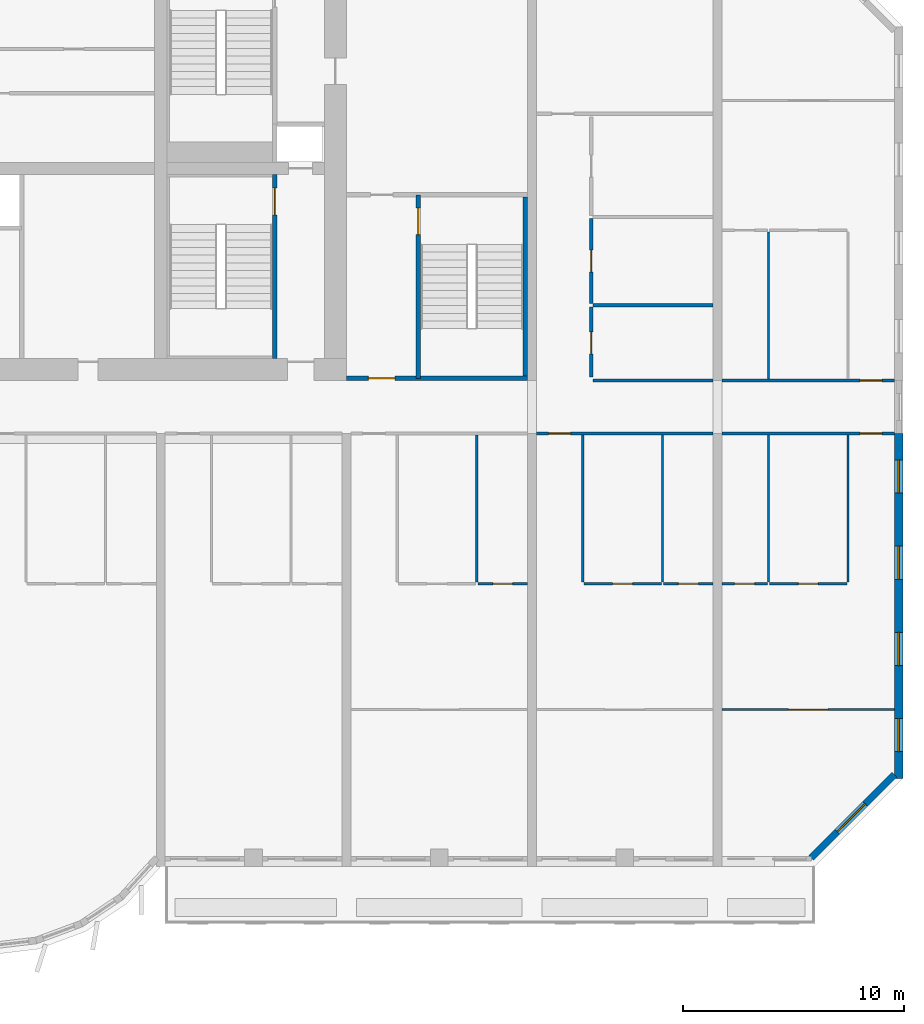
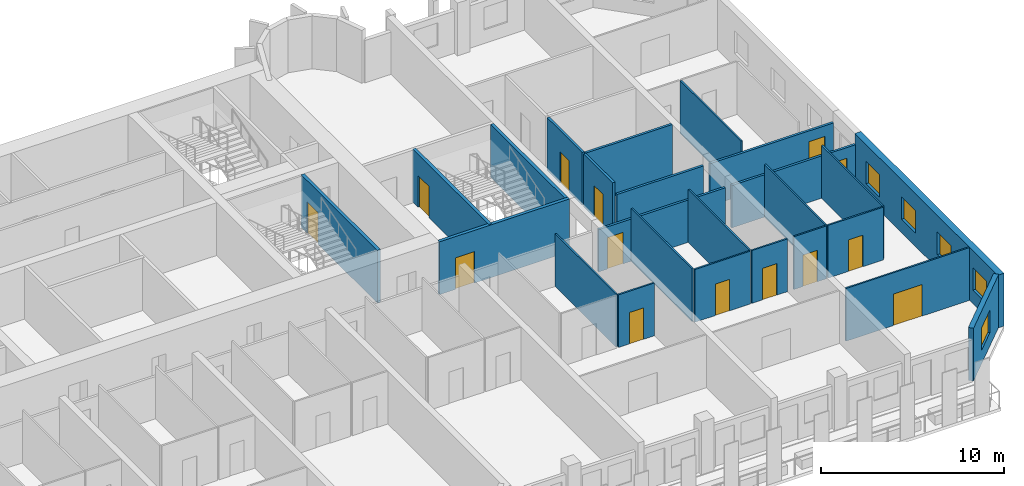
# One storey, part 9 of 15: 25 walls, 14 doors, 5 windows, 19 openings.
"""IFC4 building model written with IfcOpenShell, lengths in metres."""

from ifc_helpers import new_model, si_unit, direction, frame, frame_2d, origin, place, context, subcontext, project, spatial, rectangle, extrude, source, transform, mapped, material, layer, layer_set, type_object, element, fill, save


model = new_model("IFC4")

# Units and contexts
model_context = context("Model", 3, precision=1e-05, world=origin(), true_north=direction((0.0, 1.0)))
body_context = subcontext(model_context, "Body", "Model", "MODEL_VIEW")
ifc_project = project(units=[si_unit("LENGTHUNIT", "METRE"), si_unit("AREAUNIT", "SQUARE_METRE"), si_unit("VOLUMEUNIT", "CUBIC_METRE"), si_unit("PLANEANGLEUNIT", "RADIAN"), si_unit("MASSUNIT", "GRAM", prefix="KILO")], contexts=[model_context])

# Site, building, storey
site_placement = place(None, origin())
site = spatial("IfcSite", under=ifc_project, at=site_placement, CompositionType="ELEMENT")
building_placement = place(site_placement, origin())
building = spatial("IfcBuilding", under=site, at=building_placement, Name="Vanashikhar Sky Hotel", CompositionType="ELEMENT")
storey_placement = place(building_placement, frame((0.0, 0.0, 69.60009765625)))
storey = spatial("IfcBuildingStorey", under=building, at=storey_placement, Name="L16", CompositionType="ELEMENT", Elevation=69.60009765625)

# Wall, openings, windows
ifc_material_1 = material(Name="Concrete M80", Category="concrete")
ifc_layer_1 = layer(ifc_material_1, 0.39990234375)
ifc_layer_set_1 = layer_set([ifc_layer_1], Name="RC shear wall 400 Concrete M80")
wall_type_1 = type_object("IfcWallType", Name="RC shear wall 400 Concrete M80", PredefinedType="SHEAR", material=ifc_layer_set_1)
shared_shape_1 = source(origin(), body_context, "Body", "SweptSolid", [
    extrude(rectangle(XDim=15.60009765625, YDim=0.39990234375, at=frame_2d((7.800048828125, 0.0))), origin(), (0.0, 0.0, 1.0), 3.52001953125),
])
wall_1_placement = place(storey_placement, frame((100.60009765625, 4.0, 0.0), z_axis=(0.0, 0.0, 1.0), x_axis=(0.0, 1.0, 0.0)))
wall_1 = element("IfcWall", 1, at=wall_1_placement, inside=storey, type_object=wall_type_1, Name="CW-L16-XW13-1", PredefinedType="SHEAR", context=body_context, shape_type="MappedRepresentation", body=[
    mapped(shared_shape_1, transform((0.0, 0.0, 0.0), scale=1.0)),
])
shared_shape_2 = source(origin(), body_context, "Body", "SweptSolid", [
    extrude(rectangle(XDim=1.5, YDim=1.5, at=frame_2d((0.75, 0.75))), frame((0.0, 0.2099609375, 0.0), z_axis=(0.0, -1.0, 0.0), x_axis=(1.0, 0.0, 0.0)), (0.0, 0.0, 1.0), 0.419921875),
])
opening_1_placement = place(wall_1_placement, frame((1.199951171875, 0.0, 0.89990234375)))
opening_1 = element("IfcOpeningElement", 2, at=opening_1_placement, cuts=wall_1, Name="Opening WN-1", PredefinedType="OPENING", context=body_context, shape_type="MappedRepresentation", body=[
    mapped(shared_shape_2, transform((0.0, 0.0, 0.0), scale=1.0)),
])
opening_2_placement = place(wall_1_placement, frame((5.10009765625, 0.0, 0.89990234375)))
opening_2 = element("IfcOpeningElement", 3, at=opening_2_placement, cuts=wall_1, Name="Opening WN-1", PredefinedType="OPENING", context=body_context, shape_type="MappedRepresentation", body=[
    mapped(shared_shape_2, transform((0.0, 0.0, 0.0), scale=1.0)),
])
opening_3_placement = place(wall_1_placement, frame((9.0, 0.0, 0.89990234375)))
opening_3 = element("IfcOpeningElement", 4, at=opening_3_placement, cuts=wall_1, Name="Opening WN-1", PredefinedType="OPENING", context=body_context, shape_type="MappedRepresentation", body=[
    mapped(shared_shape_2, transform((0.0, 0.0, 0.0), scale=1.0)),
])
opening_4_placement = place(wall_1_placement, frame((12.89990234375, 0.0, 0.89990234375)))
opening_4 = element("IfcOpeningElement", 5, at=opening_4_placement, cuts=wall_1, Name="Opening WN-1", PredefinedType="OPENING", context=body_context, shape_type="MappedRepresentation", body=[
    mapped(shared_shape_2, transform((0.0, 0.0, 0.0), scale=1.0)),
])
ifc_material_2 = material(Name="Glass", Category="glass")
window_type_1 = type_object("IfcWindowType", Name="Window 1500 x 1500", PartitioningType="SINGLE_PANEL", PredefinedType="WINDOW", material=ifc_material_2)
shared_shape_3 = source(origin(), body_context, "Body", "SweptSolid", [
    extrude(rectangle(XDim=1.5, YDim=1.5, at=frame_2d((0.75, 0.75))), frame((0.0, 0.030029296875, 0.0), z_axis=(0.0, -1.0, 0.0), x_axis=(1.0, 0.0, 0.0)), (0.0, 0.0, 1.0), 0.06005859375),
])
window_1_placement = place(opening_1_placement, origin())
window_1 = element("IfcWindow", 6, at=window_1_placement, inside=storey, type_object=window_type_1, Name="Window WN-1", OverallHeight=1.5, OverallWidth=1.5, PartitioningType="SINGLE_PANEL", PredefinedType="WINDOW", context=body_context, shape_type="MappedRepresentation", body=[
    mapped(shared_shape_3, transform((0.0, 0.0, 0.0), scale=1.0)),
])
fill(opening_1, window_1)
window_2_placement = place(opening_2_placement, origin())
window_2 = element("IfcWindow", 7, at=window_2_placement, inside=storey, type_object=window_type_1, Name="Window WN-1", OverallHeight=1.5, OverallWidth=1.5, PartitioningType="SINGLE_PANEL", PredefinedType="WINDOW", context=body_context, shape_type="MappedRepresentation", body=[
    mapped(shared_shape_3, transform((0.0, 0.0, 0.0), scale=1.0)),
])
fill(opening_2, window_2)
window_3_placement = place(opening_3_placement, origin())
window_3 = element("IfcWindow", 8, at=window_3_placement, inside=storey, type_object=window_type_1, Name="Window WN-1", OverallHeight=1.5, OverallWidth=1.5, PartitioningType="SINGLE_PANEL", PredefinedType="WINDOW", context=body_context, shape_type="MappedRepresentation", body=[
    mapped(shared_shape_3, transform((0.0, 0.0, 0.0), scale=1.0)),
])
fill(opening_3, window_3)
window_4_placement = place(opening_4_placement, origin())
window_4 = element("IfcWindow", 9, at=window_4_placement, inside=storey, type_object=window_type_1, Name="Window WN-1", OverallHeight=1.5, OverallWidth=1.5, PartitioningType="SINGLE_PANEL", PredefinedType="WINDOW", context=body_context, shape_type="MappedRepresentation", body=[
    mapped(shared_shape_3, transform((0.0, 0.0, 0.0), scale=1.0)),
])
fill(opening_4, window_4)

# Wall, opening, window
ifc_material_3 = material(Name="Concrete M50", Category="concrete")
ifc_layer_2 = layer(ifc_material_3, 0.300048828125)
ifc_layer_set_2 = layer_set([ifc_layer_2], Name="Lobe wall 300")
wall_type_2 = type_object("IfcWallType", Name="Lobe wall 300", PredefinedType="SOLIDWALL", material=ifc_layer_set_2)
shared_shape_4 = source(origin(), body_context, "Body", "SweptSolid", [
    extrude(rectangle(XDim=5.32568359375, YDim=0.300048828125, at=frame_2d((2.662841796875, 0.0))), origin(), (0.0, 0.0, 1.0), 3.52001953125),
])
wall_2_placement = place(storey_placement, frame((96.63427734375, 0.39990234375, 0.0), z_axis=(0.0, 0.0, 1.0), x_axis=(0.707083859269, 0.707129702361, 0.0)))
wall_2 = element("IfcWall", 10, at=wall_2_placement, inside=storey, type_object=wall_type_2, Name="Corner wall", PredefinedType="SOLIDWALL", context=body_context, shape_type="MappedRepresentation", body=[
    mapped(shared_shape_4, transform((0.0, 0.0, 0.0), scale=1.0)),
])
shared_shape_5 = source(origin(), body_context, "Body", "SweptSolid", [
    extrude(rectangle(XDim=1.800048828125, YDim=1.5, at=frame_2d((0.89990234375, 0.75))), frame((0.0, 0.16015625, 0.0), z_axis=(0.0, -1.0, 0.0), x_axis=(1.0, 0.0, 0.0)), (0.0, 0.0, 1.0), 0.320068359375),
])
opening_5_placement = place(wall_2_placement, frame((1.654296875, 0.0, 0.89990234375)))
opening_5 = element("IfcOpeningElement", 11, at=opening_5_placement, cuts=wall_2, Name="Opening WN-4", PredefinedType="OPENING", context=body_context, shape_type="MappedRepresentation", body=[
    mapped(shared_shape_5, transform((0.0, 0.0, 0.0), scale=1.0)),
])
window_type_2 = type_object("IfcWindowType", Name="Corner window 1800 x 1500", PartitioningType="SINGLE_PANEL", PredefinedType="WINDOW", material=ifc_material_2)
shared_shape_6 = source(origin(), body_context, "Body", "SweptSolid", [
    extrude(rectangle(XDim=1.800048828125, YDim=1.5, at=frame_2d((0.89990234375, 0.75))), frame((0.0, 0.030029296875, 0.0), z_axis=(0.0, -1.0, 0.0), x_axis=(1.0, 0.0, 0.0)), (0.0, 0.0, 1.0), 0.06005859375),
])
window_5_placement = place(opening_5_placement, origin())
window_5 = element("IfcWindow", 12, at=window_5_placement, inside=storey, type_object=window_type_2, Name="Window WN-4", OverallHeight=1.5, OverallWidth=1.800048828125, PartitioningType="SINGLE_PANEL", PredefinedType="WINDOW", context=body_context, shape_type="MappedRepresentation", body=[
    mapped(shared_shape_6, transform((0.0, 0.0, 0.0), scale=1.0)),
])
fill(opening_5, window_5)

# Wall, opening, door
ifc_layer_3 = layer(ifc_material_3, 0.199951171875)
ifc_layer_set_3 = layer_set([ifc_layer_3], Name="Stair wall 200")
wall_type_3 = type_object("IfcWallType", Name="Stair wall 200", PredefinedType="SOLIDWALL", material=ifc_layer_set_3)
shared_shape_7 = source(origin(), body_context, "Body", "SweptSolid", [
    extrude(rectangle(XDim=8.199951171875, YDim=0.199951171875, at=frame_2d((4.10009765625, 0.0))), origin(), (0.0, 0.0, 1.0), 3.52001953125),
])
wall_3_placement = place(storey_placement, frame((83.800048828125, 22.10009765625, 0.0), z_axis=(0.0, 0.0, 1.0), x_axis=(-1.0, 0.0, 0.0)))
wall_3 = element("IfcWall", 13, at=wall_3_placement, inside=storey, type_object=wall_type_3, Name="Stair wall 200", PredefinedType="SOLIDWALL", context=body_context, shape_type="MappedRepresentation", body=[
    mapped(shared_shape_7, transform((0.0, 0.0, 0.0), scale=1.0)),
])
shared_shape_8 = source(origin(), body_context, "Body", "SweptSolid", [
    extrude(rectangle(XDim=1.199951171875, YDim=2.10009765625, at=frame_2d((0.60009765625, 1.050048828125))), frame((0.0, 0.10986328125, 0.0), z_axis=(0.0, -1.0, 0.0), x_axis=(1.0, 0.0, 0.0)), (0.0, 0.0, 1.0), 0.219970703125),
])
opening_6_placement = place(wall_3_placement, frame((6.0, 0.0, 0.0)))
opening_6 = element("IfcOpeningElement", 14, at=opening_6_placement, cuts=wall_3, Name="Opening DC-2", PredefinedType="OPENING", context=body_context, shape_type="MappedRepresentation", body=[
    mapped(shared_shape_8, transform((0.0, 0.0, 0.0), scale=1.0)),
])
ifc_material_4 = material(Name="Steel", Category="steel")
door_type_1 = type_object("IfcDoorType", Name="Firefighting lobby door 1200 FD120", OperationType="NOTDEFINED", PredefinedType="DOOR", material=ifc_material_4)
shared_shape_9 = source(origin(), body_context, "Body", "SweptSolid", [
    extrude(rectangle(XDim=1.199951171875, YDim=2.10009765625, at=frame_2d((0.60009765625, 1.050048828125))), frame((0.0, 0.02490234375, 0.0), z_axis=(0.0, -1.0, 0.0), x_axis=(1.0, 0.0, 0.0)), (0.0, 0.0, 1.0), 0.050048828125),
])
door_1_placement = place(opening_6_placement, origin())
door_1 = element("IfcDoor", 15, at=door_1_placement, inside=storey, type_object=door_type_1, Name="Firefighting lobby door 1200 FD120", OperationType="SINGLE_SWING_RIGHT", OverallHeight=2.10009765625, OverallWidth=1.199951171875, PredefinedType="DOOR", context=body_context, shape_type="MappedRepresentation", body=[
    mapped(shared_shape_9, transform((0.0, 0.0, 0.0), scale=1.0)),
])
fill(opening_6, door_1)

shared_shape_10 = source(origin(), body_context, "Body", "SweptSolid", [
    extrude(rectangle(XDim=8.2998046875, YDim=0.199951171875, at=frame_2d((4.14990234375, 0.0))), origin(), (0.0, 0.0, 1.0), 3.52001953125),
])
wall_4_placement = place(storey_placement, frame((78.85009765625, 22.10009765625, 0.0), z_axis=(0.0, 0.0, 1.0), x_axis=(0.0, 1.0, 0.0)))
wall_4 = element("IfcWall", 16, at=wall_4_placement, inside=storey, type_object=wall_type_3, Name="Stair wall 200", PredefinedType="SOLIDWALL", context=body_context, shape_type="MappedRepresentation", body=[
    mapped(shared_shape_10, transform((0.0, 0.0, 0.0), scale=1.0)),
])
opening_7_placement = place(wall_4_placement, frame((6.5, 0.0, 0.0)))
opening_7 = element("IfcOpeningElement", 17, at=opening_7_placement, cuts=wall_4, Name="Opening DC-1", PredefinedType="OPENING", context=body_context, shape_type="MappedRepresentation", body=[
    mapped(shared_shape_8, transform((0.0, 0.0, 0.0), scale=1.0)),
])
door_type_2 = type_object("IfcDoorType", Name="Stair door 1200 FD120", OperationType="NOTDEFINED", PredefinedType="DOOR", material=ifc_material_4)
door_2_placement = place(opening_7_placement, origin())
door_2 = element("IfcDoor", 18, at=door_2_placement, inside=storey, type_object=door_type_2, Name="Stair door 1200 FD120", OperationType="SINGLE_SWING_RIGHT", OverallHeight=2.10009765625, OverallWidth=1.199951171875, PredefinedType="DOOR", context=body_context, shape_type="MappedRepresentation", body=[
    mapped(shared_shape_9, transform((0.0, 0.0, 0.0), scale=1.0)),
])
fill(opening_7, door_2)

shared_shape_11 = source(origin(), body_context, "Body", "SweptSolid", [
    extrude(rectangle(XDim=8.324951171875, YDim=0.199951171875, at=frame_2d((4.16259765625, 0.0))), origin(), (0.0, 0.0, 1.0), 3.52001953125),
])
wall_5_placement = place(storey_placement, frame((72.35009765625, 23.0, 0.0), z_axis=(0.0, 0.0, 1.0), x_axis=(0.0, 1.0, 0.0)))
wall_5 = element("IfcWall", 19, at=wall_5_placement, inside=storey, type_object=wall_type_3, Name="Stair wall 200", PredefinedType="SOLIDWALL", context=body_context, shape_type="MappedRepresentation", body=[
    mapped(shared_shape_11, transform((0.0, 0.0, 0.0), scale=1.0)),
])
opening_8_placement = place(wall_5_placement, frame((6.5, 0.0, 0.0)))
opening_8 = element("IfcOpeningElement", 20, at=opening_8_placement, cuts=wall_5, Name="Opening DC-1", PredefinedType="OPENING", context=body_context, shape_type="MappedRepresentation", body=[
    mapped(shared_shape_8, transform((0.0, 0.0, 0.0), scale=1.0)),
])
door_3_placement = place(opening_8_placement, origin())
door_3 = element("IfcDoor", 21, at=door_3_placement, inside=storey, type_object=door_type_2, Name="Stair door 1200 FD120", OperationType="SINGLE_SWING_LEFT", OverallHeight=2.10009765625, OverallWidth=1.199951171875, PredefinedType="DOOR", context=body_context, shape_type="MappedRepresentation", body=[
    mapped(shared_shape_9, transform((0.0, 0.0, 0.0), scale=1.0)),
])
fill(opening_8, door_3)

# Wall
ifc_layer_4 = layer(ifc_material_3, 0.199951171875)
ifc_layer_set_4 = layer_set([ifc_layer_4], Name="Stair infill wall 200")
wall_type_4 = type_object("IfcWallType", Name="Stair infill wall 200", PredefinedType="SOLIDWALL", material=ifc_layer_set_4)
shared_shape_12 = source(origin(), body_context, "Body", "SweptSolid", [
    extrude(rectangle(XDim=8.10009765625, YDim=0.199951171875, at=frame_2d((4.050048828125, 0.0))), origin(), (0.0, 0.0, 1.0), 3.52001953125),
])
wall_6_placement = place(storey_placement, frame((83.699951171875, 22.199951171875, 0.0), z_axis=(0.0, 0.0, 1.0), x_axis=(0.0, 1.0, 0.0)))
element("IfcWall", 22, at=wall_6_placement, inside=storey, type_object=wall_type_4, Name="Stair infill wall 200", PredefinedType="SOLIDWALL", context=body_context, shape_type="MappedRepresentation", body=[
    mapped(shared_shape_12, transform((0.0, 0.0, 0.0), scale=1.0)),
])

# Wall, opening, door
ifc_material_5 = material(Name="Gypsum plasterboard partition")
ifc_layer_5 = layer(ifc_material_5, 0.10009765625)
ifc_layer_set_5 = layer_set([ifc_layer_5], Name="Wet room partition 100")
wall_type_5 = type_object("IfcWallType", Name="Wet room partition 100", PredefinedType="PARTITIONING", material=ifc_layer_set_5)
shared_shape_13 = source(origin(), body_context, "Body", "SweptSolid", [
    extrude(rectangle(XDim=2.0498046875, YDim=0.10009765625, at=frame_2d((1.02490234375, 0.0))), origin(), (0.0, 0.0, 1.0), 3.52001953125),
])
wall_7_placement = place(storey_placement, frame((92.60009765625, 12.800048828125, 0.0), z_axis=(0.0, 0.0, 1.0), x_axis=(1.0, 0.0, 0.0)))
wall_7 = element("IfcWall", 23, at=wall_7_placement, inside=storey, type_object=wall_type_5, Name="W-L16-PW065", PredefinedType="PARTITIONING", context=body_context, shape_type="MappedRepresentation", body=[
    mapped(shared_shape_13, transform((0.0, 0.0, 0.0), scale=1.0)),
])
shared_shape_14 = source(origin(), body_context, "Body", "SweptSolid", [
    extrude(rectangle(XDim=0.89990234375, YDim=2.10009765625, at=frame_2d((0.449951171875, 1.050048828125))), frame((0.0, 0.06005859375, 0.0), z_axis=(0.0, -1.0, 0.0), x_axis=(1.0, 0.0, 0.0)), (0.0, 0.0, 1.0), 0.1201171875),
])
opening_9_placement = place(wall_7_placement, frame((0.574951171875, 0.0, 0.0)))
opening_9 = element("IfcOpeningElement", 24, at=opening_9_placement, cuts=wall_7, Name="Opening D-02", PredefinedType="OPENING", context=body_context, shape_type="MappedRepresentation", body=[
    mapped(shared_shape_14, transform((0.0, 0.0, 0.0), scale=1.0)),
])
ifc_material_6 = material(Name="Timber door", Category="wood")
door_type_3 = type_object("IfcDoorType", Name="Internal door 900", OperationType="NOTDEFINED", PredefinedType="DOOR", material=ifc_material_6)
shared_shape_15 = source(origin(), body_context, "Body", "SweptSolid", [
    extrude(rectangle(XDim=0.89990234375, YDim=2.10009765625, at=frame_2d((0.449951171875, 1.050048828125))), frame((0.0, 0.02490234375, 0.0), z_axis=(0.0, -1.0, 0.0), x_axis=(1.0, 0.0, 0.0)), (0.0, 0.0, 1.0), 0.050048828125),
])
door_4_placement = place(opening_9_placement, origin())
door_4 = element("IfcDoor", 25, at=door_4_placement, inside=storey, type_object=door_type_3, Name="D-L16-040", OperationType="SINGLE_SWING_RIGHT", OverallHeight=2.10009765625, OverallWidth=0.89990234375, PredefinedType="DOOR", context=body_context, shape_type="MappedRepresentation", body=[
    mapped(shared_shape_15, transform((0.0, 0.0, 0.0), scale=1.0)),
])
fill(opening_9, door_4)

shared_shape_16 = source(origin(), body_context, "Body", "SweptSolid", [
    extrude(rectangle(XDim=3.5, YDim=0.10009765625, at=frame_2d((1.75, 0.0))), origin(), (0.0, 0.0, 1.0), 3.52001953125),
])
wall_8_placement = place(storey_placement, frame((86.35009765625, 12.800048828125, 0.0), z_axis=(0.0, 0.0, 1.0), x_axis=(1.0, 0.0, 0.0)))
wall_8 = element("IfcWall", 26, at=wall_8_placement, inside=storey, type_object=wall_type_5, Name="W-L16-PW058", PredefinedType="PARTITIONING", context=body_context, shape_type="MappedRepresentation", body=[
    mapped(shared_shape_16, transform((0.0, 0.0, 0.0), scale=1.0)),
])
opening_10_placement = place(wall_8_placement, frame((1.300048828125, 0.0, 0.0)))
opening_10 = element("IfcOpeningElement", 27, at=opening_10_placement, cuts=wall_8, Name="Opening D-02", PredefinedType="OPENING", context=body_context, shape_type="MappedRepresentation", body=[
    mapped(shared_shape_14, transform((0.0, 0.0, 0.0), scale=1.0)),
])
door_5_placement = place(opening_10_placement, origin())
door_5 = element("IfcDoor", 28, at=door_5_placement, inside=storey, type_object=door_type_3, Name="D-L16-035", OperationType="SINGLE_SWING_LEFT", OverallHeight=2.10009765625, OverallWidth=0.89990234375, PredefinedType="DOOR", context=body_context, shape_type="MappedRepresentation", body=[
    mapped(shared_shape_15, transform((0.0, 0.0, 0.0), scale=1.0)),
])
fill(opening_10, door_5)

wall_9_placement = place(storey_placement, frame((94.75, 12.800048828125, 0.0), z_axis=(0.0, 0.0, 1.0), x_axis=(1.0, 0.0, 0.0)))
wall_9 = element("IfcWall", 29, at=wall_9_placement, inside=storey, type_object=wall_type_5, Name="W-L16-PW064", PredefinedType="PARTITIONING", context=body_context, shape_type="MappedRepresentation", body=[
    mapped(shared_shape_16, transform((0.0, 0.0, 0.0), scale=1.0)),
])
opening_11_placement = place(wall_9_placement, frame((1.300048828125, 0.0, 0.0)))
opening_11 = element("IfcOpeningElement", 30, at=opening_11_placement, cuts=wall_9, Name="Opening D-02", PredefinedType="OPENING", context=body_context, shape_type="MappedRepresentation", body=[
    mapped(shared_shape_14, transform((0.0, 0.0, 0.0), scale=1.0)),
])
door_6_placement = place(opening_11_placement, origin())
door_6 = element("IfcDoor", 31, at=door_6_placement, inside=storey, type_object=door_type_3, Name="D-L16-039", OperationType="SINGLE_SWING_RIGHT", OverallHeight=2.10009765625, OverallWidth=0.89990234375, PredefinedType="DOOR", context=body_context, shape_type="MappedRepresentation", body=[
    mapped(shared_shape_15, transform((0.0, 0.0, 0.0), scale=1.0)),
])
fill(opening_11, door_6)

ifc_layer_6 = layer(ifc_material_5, 0.14990234375)
ifc_layer_set_6 = layer_set([ifc_layer_6], Name="Corridor and demising partition 150")
wall_type_6 = type_object("IfcWallType", Name="Corridor and demising partition 150", PredefinedType="PARTITIONING", material=ifc_layer_set_6)
shared_shape_17 = source(origin(), body_context, "Body", "SweptSolid", [
    extrude(rectangle(XDim=3.175048828125, YDim=0.14990234375, at=frame_2d((1.58740234375, 0.0))), origin(), (0.0, 0.0, 1.0), 3.52001953125),
])
wall_10_placement = place(storey_placement, frame((86.675048828125, 22.14990234375, 0.0), z_axis=(0.0, 0.0, 1.0), x_axis=(0.0, 1.0, 0.0)))
wall_10 = element("IfcWall", 32, at=wall_10_placement, inside=storey, type_object=wall_type_6, Name="W-L16-PW084", PredefinedType="PARTITIONING", context=body_context, shape_type="MappedRepresentation", body=[
    mapped(shared_shape_17, transform((0.0, 0.0, 0.0), scale=1.0)),
])
shared_shape_18 = source(origin(), body_context, "Body", "SweptSolid", [
    extrude(rectangle(XDim=1.0, YDim=2.10009765625, at=frame_2d((0.5, 1.050048828125))), frame((0.0, 0.0849609375, 0.0), z_axis=(0.0, -1.0, 0.0), x_axis=(1.0, 0.0, 0.0)), (0.0, 0.0, 1.0), 0.169921875),
])
opening_12_placement = place(wall_10_placement, frame((1.050048828125, 0.0, 0.0)))
opening_12 = element("IfcOpeningElement", 33, at=opening_12_placement, cuts=wall_10, Name="Opening D-01", PredefinedType="OPENING", context=body_context, shape_type="MappedRepresentation", body=[
    mapped(shared_shape_18, transform((0.0, 0.0, 0.0), scale=1.0)),
])
ifc_material_7 = material(Name="Timber fire door", Category="wood")
door_type_4 = type_object("IfcDoorType", Name="Guest entry door 1000 FD30S", OperationType="NOTDEFINED", PredefinedType="DOOR", material=ifc_material_7)
shared_shape_19 = source(origin(), body_context, "Body", "SweptSolid", [
    extrude(rectangle(XDim=1.0, YDim=2.10009765625, at=frame_2d((0.5, 1.050048828125))), frame((0.0, 0.02490234375, 0.0), z_axis=(0.0, -1.0, 0.0), x_axis=(1.0, 0.0, 0.0)), (0.0, 0.0, 1.0), 0.050048828125),
])
door_7_placement = place(opening_12_placement, origin())
door_7 = element("IfcDoor", 34, at=door_7_placement, inside=storey, type_object=door_type_4, Name="D-L16-051", OperationType="SINGLE_SWING_LEFT", OverallHeight=2.10009765625, OverallWidth=1.0, PredefinedType="DOOR", context=body_context, shape_type="MappedRepresentation", body=[
    mapped(shared_shape_19, transform((0.0, 0.0, 0.0), scale=1.0)),
])
fill(opening_12, door_7)

shared_shape_20 = source(origin(), body_context, "Body", "SweptSolid", [
    extrude(rectangle(XDim=3.849853515625, YDim=0.14990234375, at=frame_2d((1.9248046875, 0.0))), origin(), (0.0, 0.0, 1.0), 3.52001953125),
])
wall_11_placement = place(storey_placement, frame((86.675048828125, 25.47509765625, 0.0), z_axis=(0.0, 0.0, 1.0), x_axis=(0.0, 1.0, 0.0)))
wall_11 = element("IfcWall", 35, at=wall_11_placement, inside=storey, type_object=wall_type_6, Name="W-L16-PW086", PredefinedType="PARTITIONING", context=body_context, shape_type="MappedRepresentation", body=[
    mapped(shared_shape_20, transform((0.0, 0.0, 0.0), scale=1.0)),
])
opening_13_placement = place(wall_11_placement, frame((1.425048828125, 0.0, 0.0)))
opening_13 = element("IfcOpeningElement", 36, at=opening_13_placement, cuts=wall_11, Name="Opening D-01", PredefinedType="OPENING", context=body_context, shape_type="MappedRepresentation", body=[
    mapped(shared_shape_18, transform((0.0, 0.0, 0.0), scale=1.0)),
])
door_8_placement = place(opening_13_placement, origin())
door_8 = element("IfcDoor", 37, at=door_8_placement, inside=storey, type_object=door_type_4, Name="D-L16-052", OperationType="SINGLE_SWING_LEFT", OverallHeight=2.10009765625, OverallWidth=1.0, PredefinedType="DOOR", context=body_context, shape_type="MappedRepresentation", body=[
    mapped(shared_shape_19, transform((0.0, 0.0, 0.0), scale=1.0)),
])
fill(opening_13, door_8)

# Wall
shared_shape_21 = source(origin(), body_context, "Body", "SweptSolid", [
    extrude(rectangle(XDim=5.449951171875, YDim=0.14990234375, at=frame_2d((2.72509765625, 0.0))), origin(), (0.0, 0.0, 1.0), 3.52001953125),
])
wall_12_placement = place(storey_placement, frame((86.75, 25.39990234375, 0.0), z_axis=(0.0, 0.0, 1.0), x_axis=(1.0, 0.0, 0.0)))
element("IfcWall", 38, at=wall_12_placement, inside=storey, type_object=wall_type_6, Name="W-L16-PW085", PredefinedType="PARTITIONING", context=body_context, shape_type="MappedRepresentation", body=[
    mapped(shared_shape_21, transform((0.0, 0.0, 0.0), scale=1.0)),
])

# Wall, opening, door
shared_shape_22 = source(origin(), body_context, "Body", "SweptSolid", [
    extrude(rectangle(XDim=8.0, YDim=0.14990234375, at=frame_2d((4.0, 0.0))), origin(), (0.0, 0.0, 1.0), 2.81982421875),
])
wall_13_placement = place(storey_placement, frame((84.199951171875, 19.60009765625, 0.0), z_axis=(0.0, 0.0, 1.0), x_axis=(1.0, 0.0, 0.0)))
wall_13 = element("IfcWall", 39, at=wall_13_placement, inside=storey, type_object=wall_type_6, Name="W-L16-PW061", PredefinedType="PARTITIONING", context=body_context, shape_type="MappedRepresentation", body=[
    mapped(shared_shape_22, transform((0.0, 0.0, 0.0), scale=1.0)),
])
opening_14_placement = place(wall_13_placement, frame((0.550048828125, 0.0, 0.0)))
opening_14 = element("IfcOpeningElement", 40, at=opening_14_placement, cuts=wall_13, Name="Opening D-01", PredefinedType="OPENING", context=body_context, shape_type="MappedRepresentation", body=[
    mapped(shared_shape_18, transform((0.0, 0.0, 0.0), scale=1.0)),
])
door_9_placement = place(opening_14_placement, origin())
door_9 = element("IfcDoor", 41, at=door_9_placement, inside=storey, type_object=door_type_4, Name="D-L16-038", OperationType="SINGLE_SWING_LEFT", OverallHeight=2.10009765625, OverallWidth=1.0, PredefinedType="DOOR", context=body_context, shape_type="MappedRepresentation", body=[
    mapped(shared_shape_19, transform((0.0, 0.0, 0.0), scale=1.0)),
])
fill(opening_14, door_9)

# Wall
shared_shape_23 = source(origin(), body_context, "Body", "SweptSolid", [
    extrude(rectangle(XDim=5.449951171875, YDim=0.14990234375, at=frame_2d((2.72509765625, 0.0))), origin(), (0.0, 0.0, 1.0), 2.81982421875),
])
wall_14_placement = place(storey_placement, frame((86.75, 22.0, 0.0), z_axis=(0.0, 0.0, 1.0), x_axis=(1.0, 0.0, 0.0)))
element("IfcWall", 42, at=wall_14_placement, inside=storey, type_object=wall_type_6, Name="W-L16-PW083", PredefinedType="PARTITIONING", context=body_context, shape_type="MappedRepresentation", body=[
    mapped(shared_shape_23, transform((0.0, 0.0, 0.0), scale=1.0)),
])

# Wall, opening, door
shared_shape_24 = source(origin(), body_context, "Body", "SweptSolid", [
    extrude(rectangle(XDim=7.7998046875, YDim=0.14990234375, at=frame_2d((3.89990234375, 0.0))), origin(), (0.0, 0.0, 1.0), 2.81982421875),
])
wall_15_placement = place(storey_placement, frame((92.60009765625, 19.60009765625, 0.0), z_axis=(0.0, 0.0, 1.0), x_axis=(1.0, 0.0, 0.0)))
wall_15 = element("IfcWall", 43, at=wall_15_placement, inside=storey, type_object=wall_type_6, Name="W-L16-PW067", PredefinedType="PARTITIONING", context=body_context, shape_type="MappedRepresentation", body=[
    mapped(shared_shape_24, transform((0.0, 0.0, 0.0), scale=1.0)),
])
opening_15_placement = place(wall_15_placement, frame((6.25, 0.0, 0.0)))
opening_15 = element("IfcOpeningElement", 44, at=opening_15_placement, cuts=wall_15, Name="Opening D-01", PredefinedType="OPENING", context=body_context, shape_type="MappedRepresentation", body=[
    mapped(shared_shape_18, transform((0.0, 0.0, 0.0), scale=1.0)),
])
door_10_placement = place(opening_15_placement, origin())
door_10 = element("IfcDoor", 45, at=door_10_placement, inside=storey, type_object=door_type_4, Name="D-L16-042", OperationType="SINGLE_SWING_RIGHT", OverallHeight=2.10009765625, OverallWidth=1.0, PredefinedType="DOOR", context=body_context, shape_type="MappedRepresentation", body=[
    mapped(shared_shape_19, transform((0.0, 0.0, 0.0), scale=1.0)),
])
fill(opening_15, door_10)

wall_16_placement = place(storey_placement, frame((92.60009765625, 22.0, 0.0), z_axis=(0.0, 0.0, 1.0), x_axis=(1.0, 0.0, 0.0)))
wall_16 = element("IfcWall", 46, at=wall_16_placement, inside=storey, type_object=wall_type_6, Name="W-L16-PW095", PredefinedType="PARTITIONING", context=body_context, shape_type="MappedRepresentation", body=[
    mapped(shared_shape_24, transform((0.0, 0.0, 0.0), scale=1.0)),
])
opening_16_placement = place(wall_16_placement, frame((6.25, 0.0, 0.0)))
opening_16 = element("IfcOpeningElement", 47, at=opening_16_placement, cuts=wall_16, Name="Opening D-01", PredefinedType="OPENING", context=body_context, shape_type="MappedRepresentation", body=[
    mapped(shared_shape_18, transform((0.0, 0.0, 0.0), scale=1.0)),
])
door_11_placement = place(opening_16_placement, origin())
door_11 = element("IfcDoor", 48, at=door_11_placement, inside=storey, type_object=door_type_4, Name="D-L16-058", OperationType="SINGLE_SWING_RIGHT", OverallHeight=2.10009765625, OverallWidth=1.0, PredefinedType="DOOR", context=body_context, shape_type="MappedRepresentation", body=[
    mapped(shared_shape_19, transform((0.0, 0.0, 0.0), scale=1.0)),
])
fill(opening_16, door_11)

# Walls
shared_shape_25 = source(origin(), body_context, "Body", "SweptSolid", [
    extrude(rectangle(XDim=6.64990234375, YDim=0.10009765625, at=frame_2d((3.324951171875, 0.0))), origin(), (0.0, 0.0, 1.0), 3.52001953125),
])
for number, where, z_axis, x_axis, name in (
    (49, (81.5, 12.875, 0.0), (0.0, 0.0, 1.0), (0.0, 1.0, 0.0), "W-L16-PW051"),
    (50, (86.300048828125, 12.875, 0.0), (0.0, 0.0, 1.0), (0.0, 1.0, 0.0), "W-L16-PW056"),
    (51, (89.89990234375, 12.875, 0.0), (0.0, 0.0, 1.0), (0.0, 1.0, 0.0), "W-L16-PW057"),
    (52, (98.300048828125, 12.875, 0.0), (0.0, 0.0, 1.0), (0.0, 1.0, 0.0), "W-L16-PW062"),
    (53, (94.699951171875, 12.875, 0.0), (0.0, 0.0, 1.0), (0.0, 1.0, 0.0), "W-L16-PW063"),
):
    element("IfcWall", number, at=place(storey_placement, frame(where, z_axis=z_axis, x_axis=x_axis)), inside=storey, type_object=wall_type_5, Name=name, PredefinedType="PARTITIONING", context=body_context, shape_type="MappedRepresentation", body=[
        mapped(shared_shape_25, transform((0.0, 0.0, 0.0), scale=1.0)),
    ])

# Wall, opening, door
shared_shape_26 = source(origin(), body_context, "Body", "SweptSolid", [
    extrude(rectangle(XDim=2.25, YDim=0.10009765625, at=frame_2d((1.125, 0.0))), origin(), (0.0, 0.0, 1.0), 3.52001953125),
])
wall_17_placement = place(storey_placement, frame((81.550048828125, 12.800048828125, 0.0), z_axis=(0.0, 0.0, 1.0), x_axis=(1.0, 0.0, 0.0)))
wall_17 = element("IfcWall", 54, at=wall_17_placement, inside=storey, type_object=wall_type_5, Name="W-L16-PW053", PredefinedType="PARTITIONING", context=body_context, shape_type="MappedRepresentation", body=[
    mapped(shared_shape_26, transform((0.0, 0.0, 0.0), scale=1.0)),
])
opening_17_placement = place(wall_17_placement, frame((0.675048828125, 0.0, 0.0)))
opening_17 = element("IfcOpeningElement", 55, at=opening_17_placement, cuts=wall_17, Name="Opening D-02", PredefinedType="OPENING", context=body_context, shape_type="MappedRepresentation", body=[
    mapped(shared_shape_14, transform((0.0, 0.0, 0.0), scale=1.0)),
])
door_12_placement = place(opening_17_placement, origin())
door_12 = element("IfcDoor", 56, at=door_12_placement, inside=storey, type_object=door_type_3, Name="D-L16-032", OperationType="SINGLE_SWING_LEFT", OverallHeight=2.10009765625, OverallWidth=0.89990234375, PredefinedType="DOOR", context=body_context, shape_type="MappedRepresentation", body=[
    mapped(shared_shape_15, transform((0.0, 0.0, 0.0), scale=1.0)),
])
fill(opening_17, door_12)

wall_18_placement = place(storey_placement, frame((89.949951171875, 12.800048828125, 0.0), z_axis=(0.0, 0.0, 1.0), x_axis=(1.0, 0.0, 0.0)))
wall_18 = element("IfcWall", 57, at=wall_18_placement, inside=storey, type_object=wall_type_5, Name="W-L16-PW059", PredefinedType="PARTITIONING", context=body_context, shape_type="MappedRepresentation", body=[
    mapped(shared_shape_26, transform((0.0, 0.0, 0.0), scale=1.0)),
])
opening_18_placement = place(wall_18_placement, frame((0.675048828125, 0.0, 0.0)))
opening_18 = element("IfcOpeningElement", 58, at=opening_18_placement, cuts=wall_18, Name="Opening D-02", PredefinedType="OPENING", context=body_context, shape_type="MappedRepresentation", body=[
    mapped(shared_shape_14, transform((0.0, 0.0, 0.0), scale=1.0)),
])
door_13_placement = place(opening_18_placement, origin())
door_13 = element("IfcDoor", 59, at=door_13_placement, inside=storey, type_object=door_type_3, Name="D-L16-036", OperationType="SINGLE_SWING_LEFT", OverallHeight=2.10009765625, OverallWidth=0.89990234375, PredefinedType="DOOR", context=body_context, shape_type="MappedRepresentation", body=[
    mapped(shared_shape_15, transform((0.0, 0.0, 0.0), scale=1.0)),
])
fill(opening_18, door_13)

shared_shape_27 = source(origin(), body_context, "Body", "SweptSolid", [
    extrude(rectangle(XDim=7.7998046875, YDim=0.10009765625, at=frame_2d((3.89990234375, 0.0))), origin(), (0.0, 0.0, 1.0), 3.52001953125),
])
wall_19_placement = place(storey_placement, frame((92.60009765625, 7.10791015625, 0.0), z_axis=(0.0, 0.0, 1.0), x_axis=(1.0, 0.0, 0.0)))
wall_19 = element("IfcWall", 60, at=wall_19_placement, inside=storey, type_object=wall_type_5, Name="W-L16-PW066", PredefinedType="PARTITIONING", context=body_context, shape_type="MappedRepresentation", body=[
    mapped(shared_shape_27, transform((0.0, 0.0, 0.0), scale=1.0)),
])
shared_shape_28 = source(origin(), body_context, "Body", "SweptSolid", [
    extrude(rectangle(XDim=1.800048828125, YDim=2.10009765625, at=frame_2d((0.89990234375, 1.050048828125))), frame((0.0, 0.06005859375, 0.0), z_axis=(0.0, -1.0, 0.0), x_axis=(1.0, 0.0, 0.0)), (0.0, 0.0, 1.0), 0.1201171875),
])
opening_19_placement = place(wall_19_placement, frame((3.0, 0.0, 0.0)))
opening_19 = element("IfcOpeningElement", 61, at=opening_19_placement, cuts=wall_19, Name="Opening D-08", PredefinedType="OPENING", context=body_context, shape_type="MappedRepresentation", body=[
    mapped(shared_shape_28, transform((0.0, 0.0, 0.0), scale=1.0)),
])
door_type_5 = type_object("IfcDoorType", Name="Double leaf door 1800", OperationType="NOTDEFINED", PredefinedType="DOOR", material=ifc_material_6)
shared_shape_29 = source(origin(), body_context, "Body", "SweptSolid", [
    extrude(rectangle(XDim=1.800048828125, YDim=2.10009765625, at=frame_2d((0.89990234375, 1.050048828125))), frame((0.0, 0.02490234375, 0.0), z_axis=(0.0, -1.0, 0.0), x_axis=(1.0, 0.0, 0.0)), (0.0, 0.0, 1.0), 0.050048828125),
])
door_14_placement = place(opening_19_placement, origin())
door_14 = element("IfcDoor", 62, at=door_14_placement, inside=storey, type_object=door_type_5, Name="D-L16-041", OperationType="DOUBLE_DOOR_SINGLE_SWING", OverallHeight=2.10009765625, OverallWidth=1.800048828125, PredefinedType="DOOR", context=body_context, shape_type="MappedRepresentation", body=[
    mapped(shared_shape_29, transform((0.0, 0.0, 0.0), scale=1.0)),
])
fill(opening_19, door_14)

# Wall
shared_shape_30 = source(origin(), body_context, "Body", "SweptSolid", [
    extrude(rectangle(XDim=6.650146484375, YDim=0.10009765625, at=frame_2d((3.3251953125, 0.0))), origin(), (0.0, 0.0, 1.0), 3.52001953125),
])
wall_20_placement = place(storey_placement, frame((94.699951171875, 22.074951171875, 0.0), z_axis=(0.0, 0.0, 1.0), x_axis=(0.0, 1.0, 0.0)))
element("IfcWall", 63, at=wall_20_placement, inside=storey, type_object=wall_type_5, Name="W-L16-PW091", PredefinedType="PARTITIONING", context=body_context, shape_type="MappedRepresentation", body=[
    mapped(shared_shape_30, transform((0.0, 0.0, 0.0), scale=1.0)),
])

save(model, "model.ifc")
